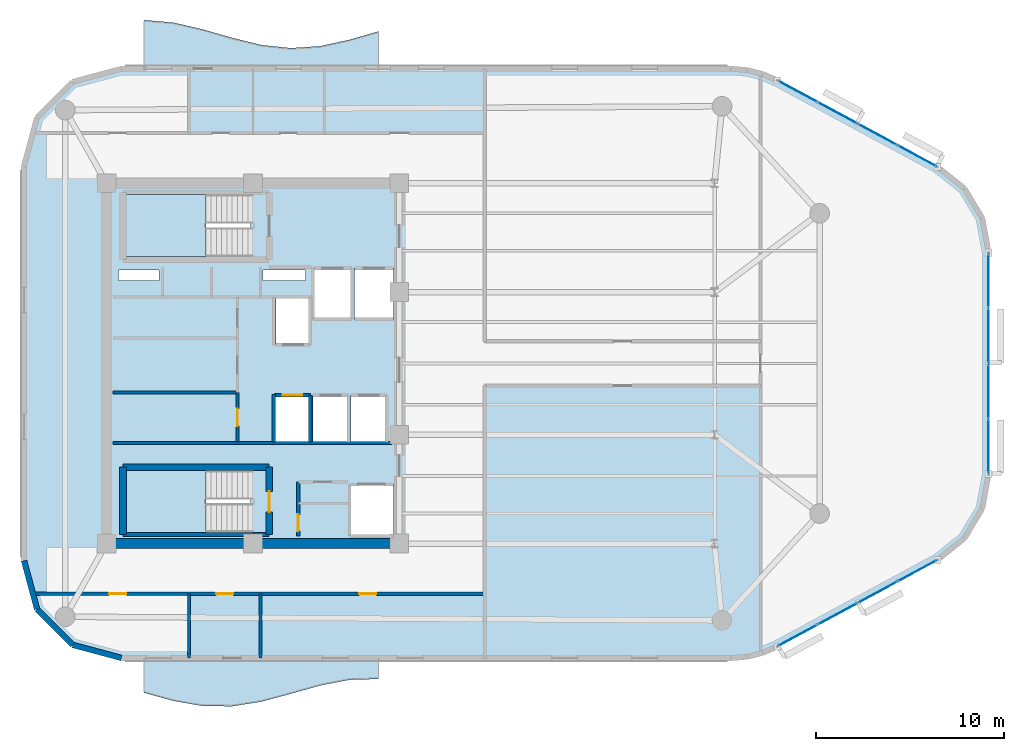
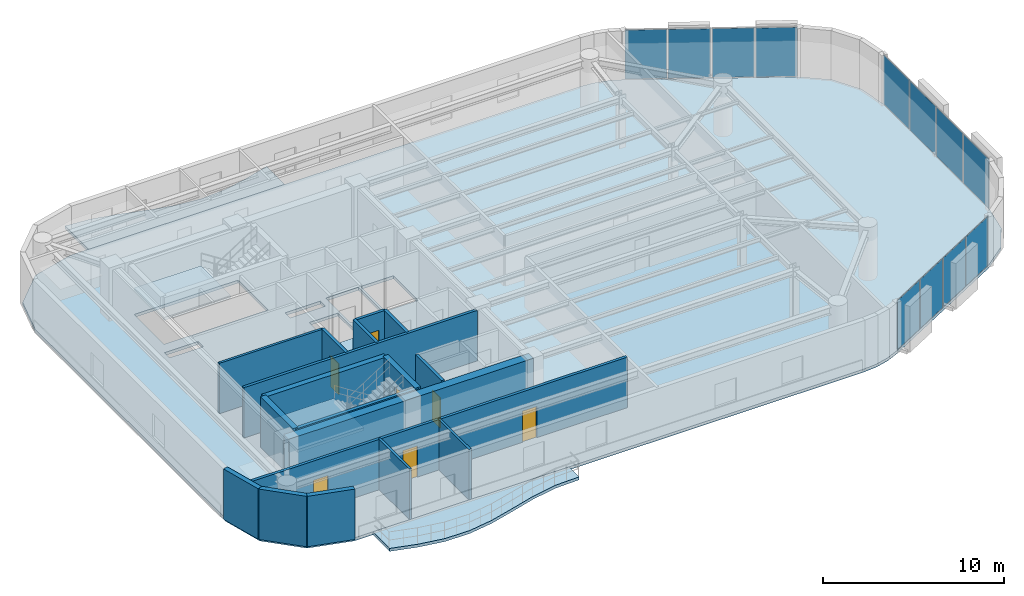
# One storey, part 8 of 13: 18 walls, 12 plates, 7 doors, 5 slabs, 7 openings, 5 elements without a shape of their own.
"""IFC4 building model written with IfcOpenShell, lengths in metres."""

from ifc_helpers import new_model, si_unit, direction, frame, frame_2d, origin, origin_2d, place, context, subcontext, project, spatial, polyline, rectangle, outline, extrude, material, layer, layer_set, type_object, element, fill, aggregate, save


model = new_model("IFC4")

# Units and contexts
model_context = context("Model", 3, precision=1e-05, world=origin(), true_north=direction((0.0, 1.0)))
body_context = subcontext(model_context, "Body", "Model", "MODEL_VIEW")
ifc_project = project(units=[si_unit("LENGTHUNIT", "METRE"), si_unit("AREAUNIT", "SQUARE_METRE"), si_unit("VOLUMEUNIT", "CUBIC_METRE"), si_unit("PLANEANGLEUNIT", "RADIAN"), si_unit("MASSUNIT", "GRAM", prefix="KILO")], contexts=[model_context])

# Site, building, storey
site_placement = place(None, origin())
site = spatial("IfcSite", under=ifc_project, at=site_placement, CompositionType="ELEMENT")
building_placement = place(site_placement, origin())
building = spatial("IfcBuilding", under=site, at=building_placement, Name="An Khanh Terracotta Commons", CompositionType="ELEMENT")
storey_placement = place(building_placement, frame((0.0, 0.0, 237.300048828125)))
storey = spatial("IfcBuildingStorey", under=building, at=storey_placement, Name="L62", CompositionType="ELEMENT", Elevation=237.300048828125)

# Curtain wall, plates
ifc_material_1 = material(Name="Anodised Aluminium 6063-T6", Category="aluminium")
ifc_layer_1 = layer(ifc_material_1, 0.2099609375, Name="Anodised Aluminium 6063-T6")
ifc_layer_set_1 = layer_set([ifc_layer_1], Name="Anodised Aluminium 6063-T6")
curtain_wall_type = type_object("IfcCurtainWallType", Name="CW-SYS-03", PredefinedType="USERDEFINED", material=ifc_layer_set_1)
curtain_wall_1_placement = place(storey_placement, origin())
curtain_wall_1 = element("IfcCurtainWall", 1, at=curtain_wall_1_placement, inside=storey, type_object=curtain_wall_type, Name="L62 CW-03 Unitised Curtain Wall CW-L62-08", ObjectType="UNITISED CURTAIN WALL", PredefinedType="USERDEFINED")
ifc_material_2 = material(Name="Acoustic Laminated Low-E Glazing", Category="glass")
ifc_layer_2 = layer(ifc_material_2, 0.035888671875, Name="Acoustic Laminated Low-E Glazing")
ifc_layer_set_2 = layer_set([ifc_layer_2], Name="Acoustic Laminated Low-E Glazing")
plate_type = type_object("IfcPlateType", Name="CWP-IGU-36", PredefinedType="CURTAIN_PANEL", material=ifc_layer_set_2)
plate_1_placement = place(storey_placement, frame((58.436767578125, 9.508544921875, 0.0498046875), z_axis=(0.0, 0.0, 1.0), x_axis=(0.879780095306, 0.47538088298, 0.0)))
plate_1 = element("IfcPlate", 2, at=plate_1_placement, type_object=plate_type, Name="CW-03 panel 1.1", PredefinedType="CURTAIN_PANEL", context=body_context, shape_type="SweptSolid", body=[
    extrude(rectangle(XDim=2.314697265625, YDim=0.035888671875, at=origin_2d()), origin(), (0.0, 0.0, 1.0), 3.300048828125),
])
plate_2_placement = place(storey_placement, frame((60.550048828125, 10.650390625, 0.0498046875), z_axis=(0.0, 0.0, 1.0), x_axis=(0.879780095306, 0.47538088298, 0.0)))
plate_2 = element("IfcPlate", 3, at=plate_2_placement, type_object=plate_type, Name="CW-03 panel 2.1", PredefinedType="CURTAIN_PANEL", context=body_context, shape_type="SweptSolid", body=[
    extrude(rectangle(XDim=2.349609375, YDim=0.035888671875, at=origin_2d()), origin(), (0.0, 0.0, 1.0), 3.300048828125),
])
plate_3_placement = place(storey_placement, frame((62.678955078125, 11.800537109375, 0.0498046875), z_axis=(0.0, 0.0, 1.0), x_axis=(0.879780095306, 0.47538088298, 0.0)))
plate_3 = element("IfcPlate", 4, at=plate_3_placement, type_object=plate_type, Name="CW-03 panel 3.1", PredefinedType="CURTAIN_PANEL", context=body_context, shape_type="SweptSolid", body=[
    extrude(rectangle(XDim=2.349609375, YDim=0.035888671875, at=origin_2d()), origin(), (0.0, 0.0, 1.0), 3.300048828125),
])
plate_4_placement = place(storey_placement, frame((64.792236328125, 12.942626953125, 0.0498046875), z_axis=(0.0, 0.0, 1.0), x_axis=(0.879780095306, 0.47538088298, 0.0)))
plate_4 = element("IfcPlate", 5, at=plate_4_placement, type_object=plate_type, Name="CW-03 panel 4.1", PredefinedType="CURTAIN_PANEL", context=body_context, shape_type="SweptSolid", body=[
    extrude(rectangle(XDim=2.314697265625, YDim=0.035888671875, at=origin_2d()), origin(), (0.0, 0.0, 1.0), 3.300048828125),
])
aggregate(curtain_wall_1, [plate_1, plate_2, plate_3, plate_4])

curtain_wall_2_placement = place(storey_placement, origin())
curtain_wall_2 = element("IfcCurtainWall", 6, at=curtain_wall_2_placement, inside=storey, type_object=curtain_wall_type, Name="L62 CW-03 Unitised Curtain Wall CW-L62-12", ObjectType="UNITISED CURTAIN WALL", PredefinedType="USERDEFINED")
plate_5_placement = place(storey_placement, frame((68.60009765625, 19.59326171875, 0.0498046875), z_axis=(0.0, 0.0, 1.0), x_axis=(0.0, 1.0, 0.0)))
plate_5 = element("IfcPlate", 7, at=plate_5_placement, type_object=plate_type, Name="CW-03 panel 1.1", PredefinedType="CURTAIN_PANEL", context=body_context, shape_type="SweptSolid", body=[
    extrude(rectangle(XDim=2.844482421875, YDim=0.035888671875, at=origin_2d()), origin(), (0.0, 0.0, 1.0), 3.300048828125),
])
plate_6_placement = place(storey_placement, frame((68.60009765625, 22.525146484375, 0.0498046875), z_axis=(0.0, 0.0, 1.0), x_axis=(0.0, 1.0, 0.0)))
plate_6 = element("IfcPlate", 8, at=plate_6_placement, type_object=plate_type, Name="CW-03 panel 2.1", PredefinedType="CURTAIN_PANEL", context=body_context, shape_type="SweptSolid", body=[
    extrude(rectangle(XDim=2.87939453125, YDim=0.035888671875, at=origin_2d()), origin(), (0.0, 0.0, 1.0), 3.300048828125),
])
plate_7_placement = place(storey_placement, frame((68.60009765625, 25.474853515625, 0.0498046875), z_axis=(0.0, 0.0, 1.0), x_axis=(0.0, 1.0, 0.0)))
plate_7 = element("IfcPlate", 9, at=plate_7_placement, type_object=plate_type, Name="CW-03 panel 3.1", PredefinedType="CURTAIN_PANEL", context=body_context, shape_type="SweptSolid", body=[
    extrude(rectangle(XDim=2.87939453125, YDim=0.035888671875, at=origin_2d()), origin(), (0.0, 0.0, 1.0), 3.300048828125),
])
plate_8_placement = place(storey_placement, frame((68.60009765625, 28.40673828125, 0.0498046875), z_axis=(0.0, 0.0, 1.0), x_axis=(0.0, 1.0, 0.0)))
plate_8 = element("IfcPlate", 10, at=plate_8_placement, type_object=plate_type, Name="CW-03 panel 4.1", PredefinedType="CURTAIN_PANEL", context=body_context, shape_type="SweptSolid", body=[
    extrude(rectangle(XDim=2.844482421875, YDim=0.035888671875, at=origin_2d()), origin(), (0.0, 0.0, 1.0), 3.300048828125),
])
aggregate(curtain_wall_2, [plate_5, plate_6, plate_7, plate_8])

curtain_wall_3_placement = place(storey_placement, origin())
curtain_wall_3 = element("IfcCurtainWall", 11, at=curtain_wall_3_placement, inside=storey, type_object=curtain_wall_type, Name="L62 CW-03 Unitised Curtain Wall CW-L62-16", ObjectType="UNITISED CURTAIN WALL", PredefinedType="USERDEFINED")
plate_9_placement = place(storey_placement, frame((64.792236328125, 35.057373046875, 0.0498046875), z_axis=(0.0, 0.0, 1.0), x_axis=(-0.879780095306, 0.47538088298, 0.0)))
plate_9 = element("IfcPlate", 12, at=plate_9_placement, type_object=plate_type, Name="CW-03 panel 1.1", PredefinedType="CURTAIN_PANEL", context=body_context, shape_type="SweptSolid", body=[
    extrude(rectangle(XDim=2.314697265625, YDim=0.035888671875, at=origin_2d()), origin(), (0.0, 0.0, 1.0), 3.300048828125),
])
plate_10_placement = place(storey_placement, frame((62.678955078125, 36.199462890625, 0.0498046875), z_axis=(0.0, 0.0, 1.0), x_axis=(-0.879780095306, 0.47538088298, 0.0)))
plate_10 = element("IfcPlate", 13, at=plate_10_placement, type_object=plate_type, Name="CW-03 panel 2.1", PredefinedType="CURTAIN_PANEL", context=body_context, shape_type="SweptSolid", body=[
    extrude(rectangle(XDim=2.349609375, YDim=0.035888671875, at=origin_2d()), origin(), (0.0, 0.0, 1.0), 3.300048828125),
])
plate_11_placement = place(storey_placement, frame((60.550048828125, 37.349609375, 0.0498046875), z_axis=(0.0, 0.0, 1.0), x_axis=(-0.879780095306, 0.47538088298, 0.0)))
plate_11 = element("IfcPlate", 14, at=plate_11_placement, type_object=plate_type, Name="CW-03 panel 3.1", PredefinedType="CURTAIN_PANEL", context=body_context, shape_type="SweptSolid", body=[
    extrude(rectangle(XDim=2.349609375, YDim=0.035888671875, at=origin_2d()), origin(), (0.0, 0.0, 1.0), 3.300048828125),
])
plate_12_placement = place(storey_placement, frame((58.436767578125, 38.491455078125, 0.0498046875), z_axis=(0.0, 0.0, 1.0), x_axis=(-0.879780095306, 0.47538088298, 0.0)))
plate_12 = element("IfcPlate", 15, at=plate_12_placement, type_object=plate_type, Name="CW-03 panel 4.1", PredefinedType="CURTAIN_PANEL", context=body_context, shape_type="SweptSolid", body=[
    extrude(rectangle(XDim=2.314697265625, YDim=0.035888671875, at=origin_2d()), origin(), (0.0, 0.0, 1.0), 3.300048828125),
])
aggregate(curtain_wall_3, [plate_9, plate_10, plate_11, plate_12])

# Slabs
ifc_material_3 = material(Name="Concrete C40/50", Category="concrete")
ifc_layer_3 = layer(ifc_material_3, 0.199951171875, Name="Concrete C40/50")
ifc_layer_set_3 = layer_set([ifc_layer_3], Name="Concrete C40/50")
slab_type_1 = type_object("IfcSlabType", Name="SLAB-BALC-200", PredefinedType="FLOOR", material=ifc_layer_set_3)
slab_1_placement = place(storey_placement, frame((0.0, 0.0, -0.199951171875)))
element("IfcSlab", 16, at=slab_1_placement, inside=storey, type_object=slab_type_1, Name="L62 S Sinusoidal Wave Balcony Slab", PredefinedType="FLOOR", context=body_context, shape_type="SweptSolid", body=[
    extrude(outline(polyline([(23.60009765625, 8.300048828125), (23.60009765625, 6.449951171875), (25.1630859375, 6.01806640625), (26.72509765625, 5.743896484375), (28.2880859375, 5.72705078125), (29.85009765625, 5.97412109375), (31.4130859375, 6.39501953125), (32.97509765625, 6.8359375), (34.5380859375, 7.135986328125), (36.10009765625, 7.18603515625), (36.10009765625, 8.300048828125), (23.60009765625, 8.300048828125)])), origin(), (0.0, 0.0, 1.0), 0.199951171875),
])
slab_2_placement = place(storey_placement, frame((0.0, 0.0, -0.199951171875)))
element("IfcSlab", 17, at=slab_2_placement, inside=storey, type_object=slab_type_1, Name="L62 N Sinusoidal Wave Balcony Slab", PredefinedType="FLOOR", context=body_context, shape_type="SweptSolid", body=[
    extrude(outline(polyline([(36.10009765625, 39.699951171875), (36.10009765625, 41.696044921875), (34.5380859375, 41.24609375), (32.97509765625, 40.906982421875), (31.4130859375, 40.802001953125), (29.85009765625, 40.969970703125), (28.2880859375, 41.35009765625), (26.72509765625, 41.802978515625), (25.1630859375, 42.1630859375), (23.60009765625, 42.300048828125), (23.60009765625, 39.699951171875), (36.10009765625, 39.699951171875)])), origin(), (0.0, 0.0, 1.0), 0.199951171875),
])

# Stair, slab
ifc_material_4 = material(Name="Precast concrete C40/50", Category="concrete")
stair_type = type_object("IfcStairType", Name="STAIR-CORE-1550", PredefinedType="HALF_TURN_STAIR", material=ifc_material_4)
stair_1_placement = place(storey_placement, origin())
stair_1 = element("IfcStair", 18, at=stair_1_placement, inside=storey, type_object=stair_type, Name="L62 Core Smokeproof Exit Stair ST-01", PredefinedType="HALF_TURN_STAIR")
ifc_layer_4 = layer(ifc_material_3, 0.18994140625, Name="Concrete C40/50")
ifc_layer_set_4 = layer_set([ifc_layer_4], Name="Concrete C40/50")
slab_type_2 = type_object("IfcSlabType", Name="SLAB-LANDING-190", PredefinedType="LANDING", material=ifc_layer_set_4)
slab_3_placement = place(storey_placement, frame((0.0, 0.0, 1.599853515625)))
slab_3 = element("IfcSlab", 19, at=slab_3_placement, type_object=slab_type_2, Name="ST-01 landing 1", PredefinedType="LANDING", context=body_context, shape_type="SweptSolid", body=[
    extrude(outline(polyline([(26.889892578125, 33.0), (22.64990234375, 33.0), (22.64990234375, 29.699951171875), (26.889892578125, 29.699951171875), (26.889892578125, 33.0)])), origin(), (0.0, 0.0, 1.0), 0.2001953125),
])
aggregate(stair_1, [slab_3])

stair_2_placement = place(storey_placement, origin())
stair_2 = element("IfcStair", 20, at=stair_2_placement, inside=storey, type_object=stair_type, Name="L62 Core Smokeproof Exit Stair ST-02", PredefinedType="HALF_TURN_STAIR")
slab_4_placement = place(storey_placement, frame((0.0, 0.0, 1.599853515625)))
slab_4 = element("IfcSlab", 21, at=slab_4_placement, type_object=slab_type_2, Name="ST-02 landing 1", PredefinedType="LANDING", context=body_context, shape_type="SweptSolid", body=[
    extrude(outline(polyline([(26.889892578125, 18.300048828125), (22.64990234375, 18.300048828125), (22.64990234375, 15.0), (26.889892578125, 15.0), (26.889892578125, 18.300048828125)])), origin(), (0.0, 0.0, 1.0), 0.2001953125),
])
aggregate(stair_2, [slab_4])

# Slab
ifc_layer_5 = layer(ifc_material_3, 0.199951171875, Name="Concrete C40/50")
ifc_layer_set_5 = layer_set([ifc_layer_5], Name="Concrete C40/50")
slab_type_3 = type_object("IfcSlabType", Name="SLAB-TYP-200", PredefinedType="FLOOR", material=ifc_layer_set_5)
slab_5_placement = place(storey_placement, frame((0.0, 0.0, -0.199951171875)))
element("IfcSlab", 22, at=slab_5_placement, inside=storey, type_object=slab_type_3, Name="L62 Structural Floor Slab", PredefinedType="FLOOR", context=body_context, shape_type="SweptSolid", body=[
    extrude(outline(polyline([(17.199951171875, 13.5), (17.89697265625, 10.89990234375), (19.800048828125, 8.9970703125), (22.39990234375, 8.300048828125), (54.885009765625, 8.300048828125), (55.739990234375, 8.37109375), (56.571044921875, 8.5810546875), (57.35693359375, 8.925048828125), (65.8720703125, 13.52587890625), (67.320068359375, 14.68408203125), (68.26904296875, 16.27587890625), (68.60009765625, 18.10107421875), (68.60009765625, 29.89892578125), (68.26904296875, 31.72412109375), (67.320068359375, 33.31591796875), (65.8720703125, 34.47412109375), (57.35693359375, 39.074951171875), (56.571044921875, 39.4189453125), (55.739990234375, 39.62890625), (54.885009765625, 39.699951171875), (22.39990234375, 39.699951171875), (19.800048828125, 39.0029296875), (17.89697265625, 37.10009765625), (17.199951171875, 34.5), (17.199951171875, 13.5)]), holes=[polyline([(22.64990234375, 29.699951171875), (29.27001953125, 29.699951171875), (29.27001953125, 33.0), (22.64990234375, 33.0), (22.64990234375, 29.699951171875)]), polyline([(22.64990234375, 15.0), (29.27001953125, 15.0), (29.27001953125, 18.300048828125), (22.64990234375, 18.300048828125), (22.64990234375, 15.0)]), polyline([(32.60009765625, 26.35009765625), (34.679931640625, 26.35009765625), (34.679931640625, 29.080078125), (32.60009765625, 29.080078125), (32.60009765625, 26.35009765625)]), polyline([(34.820068359375, 26.35009765625), (36.89990234375, 26.35009765625), (36.89990234375, 29.080078125), (34.820068359375, 29.080078125), (34.820068359375, 26.35009765625)]), polyline([(34.550048828125, 14.800048828125), (36.89990234375, 14.800048828125), (36.89990234375, 17.550048828125), (34.550048828125, 17.550048828125), (34.550048828125, 14.800048828125)]), polyline([(30.639892578125, 25.0), (32.4599609375, 25.0), (32.4599609375, 27.5), (30.639892578125, 27.5), (30.639892578125, 25.0)]), polyline([(30.56005859375, 19.800048828125), (32.4599609375, 19.800048828125), (32.4599609375, 22.300048828125), (30.56005859375, 22.300048828125), (30.56005859375, 19.800048828125)]), polyline([(32.60009765625, 19.800048828125), (34.5, 19.800048828125), (34.5, 22.300048828125), (32.60009765625, 22.300048828125), (32.60009765625, 19.800048828125)]), polyline([(34.639892578125, 19.800048828125), (36.5400390625, 19.800048828125), (36.5400390625, 22.300048828125), (34.639892578125, 22.300048828125), (34.639892578125, 19.800048828125)]), polyline([(22.25, 28.419921875), (24.39990234375, 28.419921875), (24.39990234375, 28.97998046875), (22.25, 28.97998046875), (22.25, 28.419921875)]), polyline([(29.949951171875, 28.419921875), (32.199951171875, 28.419921875), (32.199951171875, 28.97998046875), (29.949951171875, 28.97998046875), (29.949951171875, 28.419921875)])]), origin(), (0.0, 0.0, 1.0), 0.199951171875),
])

# Walls
ifc_material_5 = material(Name="Concrete C50/60", Category="concrete")
ifc_layer_6 = layer(ifc_material_5, 0.550048828125, Name="Concrete C50/60")
ifc_layer_set_6 = layer_set([ifc_layer_6], Name="Concrete C50/60")
wall_type_1 = type_object("IfcWallType", Name="WALL-CORE-550", PredefinedType="SHEAR", material=ifc_layer_set_6)
wall_1_placement = place(storey_placement, frame((37.199951171875, 14.39990234375, 0.0), z_axis=(0.0, 0.0, 1.0), x_axis=(-1.0, 0.0, 0.0)))
element("IfcWall", 23, at=wall_1_placement, inside=storey, type_object=wall_type_1, Name="L62 Core Wall CWALL-L62-S", PredefinedType="SHEAR", context=body_context, shape_type="SweptSolid", body=[
    extrude(rectangle(XDim=15.599853515625, YDim=0.550048828125, at=frame_2d((7.7998046875, 0.0))), origin(), (0.0, 0.0, 1.0), 3.39990234375),
])
ifc_material_6 = material(Name="Fire-Rated Gypsum Board on Steel Stud", Category="steel")
ifc_layer_7 = layer(ifc_material_6, 0.179931640625, Name="Fire-Rated Gypsum Board on Steel Stud")
ifc_layer_set_7 = layer_set([ifc_layer_7], Name="Fire-Rated Gypsum Board on Steel Stud")
wall_type_2 = type_object("IfcWallType", Name="WALL-CORR-180", PredefinedType="PARTITIONING", material=ifc_layer_set_7)
wall_2_placement = place(storey_placement, frame((21.949951171875, 19.760009765625, 0.0), z_axis=(0.0, 0.0, 1.0), x_axis=(1.0, 0.0, 0.0)))
element("IfcWall", 24, at=wall_2_placement, inside=storey, type_object=wall_type_2, Name="L62 Core Wall SVW-L62-N", PredefinedType="PARTITIONING", context=body_context, shape_type="SweptSolid", body=[
    extrude(rectangle(XDim=14.8701171875, YDim=0.179931640625, at=frame_2d((7.43505859375, 0.0))), origin(), (0.0, 0.0, 1.0), 3.39990234375),
])

# Wall, opening, door
wall_3_placement = place(storey_placement, frame((31.820068359375, 14.800048828125, 0.0), z_axis=(0.0, 0.0, 1.0), x_axis=(0.0, 1.0, 0.0)))
wall_3 = element("IfcWall", 25, at=wall_3_placement, inside=storey, type_object=wall_type_2, Name="L62 Core Wall SSVCW-L62-W", PredefinedType="PARTITIONING", context=body_context, shape_type="SweptSolid", body=[
    extrude(rectangle(XDim=2.8798828125, YDim=0.179931640625, at=frame_2d((1.43994140625, 0.0))), origin(), (0.0, 0.0, 1.0), 3.39990234375),
])
opening_1_placement = place(wall_3_placement, frame((0.260009765625, 0.0, 0.0)))
opening_1 = element("IfcOpeningElement", 26, at=opening_1_placement, cuts=wall_3, Name="Opening D-SV", PredefinedType="OPENING", context=body_context, shape_type="SweptSolid", body=[
    extrude(rectangle(XDim=0.89990234375, YDim=2.050048828125, at=frame_2d((0.449951171875, 1.02490234375))), frame((0.0, 0.099853515625, 0.0), z_axis=(0.0, -1.0, 0.0), x_axis=(1.0, 0.0, 0.0)), (0.0, 0.0, 1.0), 0.199951171875),
])
ifc_material_7 = material(Name="Fire-Rated Powder-Coated Steel Door", Category="steel")
door_type_1 = type_object("IfcDoorType", Name="DOOR-SERV-900", OperationType="NOTDEFINED", PredefinedType="DOOR", material=ifc_material_7)
door_1_placement = place(opening_1_placement, origin())
door_1 = element("IfcDoor", 27, at=door_1_placement, inside=storey, type_object=door_type_1, Name="L62 Telecoms BMS Cupboard Door", OperationType="SINGLE_SWING_LEFT", OverallHeight=2.050048828125, OverallWidth=0.89990234375, PredefinedType="DOOR", context=body_context, shape_type="SweptSolid", body=[
    extrude(rectangle(XDim=0.89990234375, YDim=2.050048828125, at=frame_2d((0.449951171875, 1.02490234375))), frame((0.0, 0.02490234375, 0.0), z_axis=(0.0, -1.0, 0.0), x_axis=(1.0, 0.0, 0.0)), (0.0, 0.0, 1.0), 0.050048828125),
])
fill(opening_1, door_1)

wall_4_placement = place(storey_placement, frame((30.56005859375, 22.300048828125, 0.0), z_axis=(0.0, 0.0, 1.0), x_axis=(1.0, 0.0, 0.0)))
wall_4 = element("IfcWall", 28, at=wall_4_placement, inside=storey, type_object=wall_type_2, Name="L62 Core Wall LSH-L62-PL-H2-N", PredefinedType="PARTITIONING", context=body_context, shape_type="SweptSolid", body=[
    extrude(rectangle(XDim=1.89990234375, YDim=0.179931640625, at=frame_2d((0.949951171875, 0.0))), origin(), (0.0, 0.0, 1.0), 3.39990234375),
])
opening_2_placement = place(wall_4_placement, frame((0.425048828125, 0.0, 0.0)))
opening_2 = element("IfcOpeningElement", 29, at=opening_2_placement, cuts=wall_4, Name="Opening LD-PL-H2-L62", PredefinedType="OPENING", context=body_context, shape_type="SweptSolid", body=[
    extrude(rectangle(XDim=1.050048828125, YDim=2.199951171875, at=frame_2d((0.52490234375, 1.10009765625))), frame((0.0, 0.099853515625, 0.0), z_axis=(0.0, -1.0, 0.0), x_axis=(1.0, 0.0, 0.0)), (0.0, 0.0, 1.0), 0.199951171875),
])
ifc_material_8 = material(Name="Brushed Stainless Steel High-Rise Landing Door", Category="steel")
door_type_2 = type_object("IfcDoorType", Name="DOOR-LD-PAXH-1050", OperationType="NOTDEFINED", PredefinedType="DOOR", material=ifc_material_8)
door_2_placement = place(opening_2_placement, origin())
door_2 = element("IfcDoor", 30, at=door_2_placement, inside=storey, type_object=door_type_2, Name="L62 Lift PL-H2 Sliding Landing Door", OperationType="DOUBLE_DOOR_SLIDING", OverallHeight=2.199951171875, OverallWidth=1.050048828125, PredefinedType="DOOR", context=body_context, shape_type="SweptSolid", body=[
    extrude(rectangle(XDim=1.050048828125, YDim=2.199951171875, at=frame_2d((0.52490234375, 1.10009765625))), frame((0.0, 0.02490234375, 0.0), z_axis=(0.0, -1.0, 0.0), x_axis=(1.0, 0.0, 0.0)), (0.0, 0.0, 1.0), 0.050048828125),
])
fill(opening_2, door_2)

# Walls
wall_5_placement = place(storey_placement, frame((32.4599609375, 19.800048828125, 0.0), z_axis=(0.0, 0.0, 1.0), x_axis=(0.0, 1.0, 0.0)))
element("IfcWall", 31, at=wall_5_placement, inside=storey, type_object=wall_type_2, Name="L62 Core Wall LSH-L62-PL-H2-E", PredefinedType="PARTITIONING", context=body_context, shape_type="SweptSolid", body=[
    extrude(rectangle(XDim=2.5, YDim=0.179931640625, at=frame_2d((1.25, 0.0))), origin(), (0.0, 0.0, 1.0), 3.39990234375),
])
wall_6_placement = place(storey_placement, frame((30.52001953125, 19.800048828125, 0.0), z_axis=(0.0, 0.0, 1.0), x_axis=(0.0, 1.0, 0.0)))
element("IfcWall", 32, at=wall_6_placement, inside=storey, type_object=wall_type_2, Name="L62 Core Wall RECW-L62-BE2", PredefinedType="PARTITIONING", context=body_context, shape_type="SweptSolid", body=[
    extrude(rectangle(XDim=2.550048828125, YDim=0.179931640625, at=frame_2d((1.27490234375, 0.0))), origin(), (0.0, 0.0, 1.0), 3.39990234375),
])

# Wall, opening, door
wall_7_placement = place(storey_placement, frame((28.580078125, 19.800048828125, 0.0), z_axis=(0.0, 0.0, 1.0), x_axis=(0.0, 1.0, 0.0)))
wall_7 = element("IfcWall", 33, at=wall_7_placement, inside=storey, type_object=wall_type_2, Name="L62 Core Wall RECW-L62-E3", PredefinedType="PARTITIONING", context=body_context, shape_type="SweptSolid", body=[
    extrude(rectangle(XDim=2.64990234375, YDim=0.179931640625, at=frame_2d((1.324951171875, 0.0))), origin(), (0.0, 0.0, 1.0), 3.39990234375),
])
opening_3_placement = place(wall_7_placement, frame((0.864990234375, 0.0, 0.0)))
opening_3 = element("IfcOpeningElement", 34, at=opening_3_placement, cuts=wall_7, Name="Opening D-RM", PredefinedType="OPENING", context=body_context, shape_type="SweptSolid", body=[
    extrude(rectangle(XDim=0.919921875, YDim=2.10009765625, at=frame_2d((0.4599609375, 1.050048828125))), frame((0.0, 0.099853515625, 0.0), z_axis=(0.0, -1.0, 0.0), x_axis=(1.0, 0.0, 0.0)), (0.0, 0.0, 1.0), 0.199951171875),
])
ifc_material_9 = material(Name="Engineered Hardwood Timber Leaf", Category="wood")
door_type_3 = type_object("IfcDoorType", Name="DOOR-INT-920", OperationType="NOTDEFINED", PredefinedType="DOOR", material=ifc_material_9)
door_3_placement = place(opening_3_placement, origin())
door_3 = element("IfcDoor", 35, at=door_3_placement, inside=storey, type_object=door_type_3, Name="L62 Communal Laundry Room Door", OperationType="SINGLE_SWING_RIGHT", OverallHeight=2.10009765625, OverallWidth=0.919921875, PredefinedType="DOOR", context=body_context, shape_type="SweptSolid", body=[
    extrude(rectangle(XDim=0.919921875, YDim=2.10009765625, at=frame_2d((0.4599609375, 1.050048828125))), frame((0.0, 0.02490234375, 0.0), z_axis=(0.0, -1.0, 0.0), x_axis=(1.0, 0.0, 0.0)), (0.0, 0.0, 1.0), 0.050048828125),
])
fill(opening_3, door_3)

# Wall, openings, doors
wall_8_placement = place(storey_placement, frame((17.677001953125, 11.719970703125, 0.0), z_axis=(0.0, 0.0, 1.0), x_axis=(1.0, 0.0, 0.0)))
wall_8 = element("IfcWall", 36, at=wall_8_placement, inside=storey, type_object=wall_type_2, Name="L62 Interior Partition IW-L62-E001", PredefinedType="PARTITIONING", context=body_context, shape_type="SweptSolid", body=[
    extrude(rectangle(XDim=24.072998046875, YDim=0.179931640625, at=frame_2d((12.03662109375, 0.0))), origin(), (0.0, 0.0, 1.0), 3.39990234375),
])
opening_4_placement = place(wall_8_placement, frame((9.762939453125, 0.0, 0.0)))
opening_4 = element("IfcOpeningElement", 37, at=opening_4_placement, cuts=wall_8, Name="Opening D-RM", PredefinedType="OPENING", context=body_context, shape_type="SweptSolid", body=[
    extrude(rectangle(XDim=0.919921875, YDim=2.10009765625, at=frame_2d((0.4599609375, 1.050048828125))), frame((0.0, 0.099853515625, 0.0), z_axis=(0.0, -1.0, 0.0), x_axis=(1.0, 0.0, 0.0)), (0.0, 0.0, 1.0), 0.199951171875),
])
opening_5_placement = place(wall_8_placement, frame((4.06298828125, 0.0, 0.0)))
opening_5 = element("IfcOpeningElement", 38, at=opening_5_placement, cuts=wall_8, Name="Opening D-RM", PredefinedType="OPENING", context=body_context, shape_type="SweptSolid", body=[
    extrude(rectangle(XDim=0.919921875, YDim=2.10009765625, at=frame_2d((0.4599609375, 1.050048828125))), frame((0.0, 0.099853515625, 0.0), z_axis=(0.0, -1.0, 0.0), x_axis=(1.0, 0.0, 0.0)), (0.0, 0.0, 1.0), 0.199951171875),
])
opening_6_placement = place(wall_8_placement, frame((17.3779296875, 0.0, 0.0)))
opening_6 = element("IfcOpeningElement", 39, at=opening_6_placement, cuts=wall_8, Name="Opening D-RM", PredefinedType="OPENING", context=body_context, shape_type="SweptSolid", body=[
    extrude(rectangle(XDim=0.919921875, YDim=2.10009765625, at=frame_2d((0.4599609375, 1.050048828125))), frame((0.0, 0.099853515625, 0.0), z_axis=(0.0, -1.0, 0.0), x_axis=(1.0, 0.0, 0.0)), (0.0, 0.0, 1.0), 0.199951171875),
])
door_4_placement = place(opening_4_placement, origin())
door_4 = element("IfcDoor", 40, at=door_4_placement, inside=storey, type_object=door_type_3, Name="L62 HKP Housekeeping Linen Store Door", OperationType="SINGLE_SWING_LEFT", OverallHeight=2.10009765625, OverallWidth=0.919921875, PredefinedType="DOOR", context=body_context, shape_type="SweptSolid", body=[
    extrude(rectangle(XDim=0.919921875, YDim=2.10009765625, at=frame_2d((0.4599609375, 1.050048828125))), frame((0.0, 0.02490234375, 0.0), z_axis=(0.0, -1.0, 0.0), x_axis=(1.0, 0.0, 0.0)), (0.0, 0.0, 1.0), 0.050048828125),
])
fill(opening_4, door_4)
door_5_placement = place(opening_5_placement, origin())
door_5 = element("IfcDoor", 41, at=door_5_placement, inside=storey, type_object=door_type_3, Name="L62 SW1 Academic Seminar Room Door", OperationType="SINGLE_SWING_LEFT", OverallHeight=2.10009765625, OverallWidth=0.919921875, PredefinedType="DOOR", context=body_context, shape_type="SweptSolid", body=[
    extrude(rectangle(XDim=0.919921875, YDim=2.10009765625, at=frame_2d((0.4599609375, 1.050048828125))), frame((0.0, 0.02490234375, 0.0), z_axis=(0.0, -1.0, 0.0), x_axis=(1.0, 0.0, 0.0)), (0.0, 0.0, 1.0), 0.050048828125),
])
fill(opening_5, door_5)
door_6_placement = place(opening_6_placement, origin())
door_6 = element("IfcDoor", 42, at=door_6_placement, inside=storey, type_object=door_type_3, Name="L62 SWE Music Practice Room Door", OperationType="SINGLE_SWING_RIGHT", OverallHeight=2.10009765625, OverallWidth=0.919921875, PredefinedType="DOOR", context=body_context, shape_type="SweptSolid", body=[
    extrude(rectangle(XDim=0.919921875, YDim=2.10009765625, at=frame_2d((0.4599609375, 1.050048828125))), frame((0.0, 0.02490234375, 0.0), z_axis=(0.0, -1.0, 0.0), x_axis=(1.0, 0.0, 0.0)), (0.0, 0.0, 1.0), 0.050048828125),
])
fill(opening_6, door_6)

# Walls
ifc_layer_8 = layer(ifc_material_4, 0.300048828125, Name="Precast concrete C40/50")
ifc_layer_set_8 = layer_set([ifc_layer_8], Name="Precast concrete C40/50")
wall_type_3 = type_object("IfcWallType", Name="WALL-EXT-300", PredefinedType="SOLIDWALL", material=ifc_layer_set_8)
wall_9_placement = place(storey_placement, frame((17.199951171875, 13.5, 0.0), z_axis=(0.0, 0.0, 1.0), x_axis=(0.258932525951, -0.965895412042, 0.0)))
element("IfcWall", 43, at=wall_9_placement, inside=storey, type_object=wall_type_3, Name="L62 Insulated Terracotta Exterior Wall 1", PredefinedType="SOLIDWALL", context=body_context, shape_type="SweptSolid", body=[
    extrude(rectangle(XDim=2.69189453125, YDim=0.300048828125, at=frame_2d((1.345947265625, 0.0))), origin(), (0.0, 0.0, 1.0), 3.39990234375),
])
wall_10_placement = place(storey_placement, frame((17.89697265625, 10.89990234375, 0.0), z_axis=(0.0, 0.0, 1.0), x_axis=(0.707152139074, -0.70706142039, 0.0)))
element("IfcWall", 44, at=wall_10_placement, inside=storey, type_object=wall_type_3, Name="L62 Insulated Terracotta Exterior Wall 2", PredefinedType="SOLIDWALL", context=body_context, shape_type="SweptSolid", body=[
    extrude(rectangle(XDim=2.691162109375, YDim=0.300048828125, at=frame_2d((1.345703125, 0.0))), origin(), (0.0, 0.0, 1.0), 3.39990234375),
])
wall_11_placement = place(storey_placement, frame((19.800048828125, 8.9970703125, 0.0), z_axis=(0.0, 0.0, 1.0), x_axis=(0.965889330541, -0.258955210695, 0.0)))
element("IfcWall", 45, at=wall_11_placement, inside=storey, type_object=wall_type_3, Name="L62 Insulated Terracotta Exterior Wall 3", PredefinedType="SOLIDWALL", context=body_context, shape_type="SweptSolid", body=[
    extrude(rectangle(XDim=2.691650390625, YDim=0.300048828125, at=frame_2d((1.345703125, 0.0))), origin(), (0.0, 0.0, 1.0), 3.39990234375),
])
ifc_material_10 = material(Name="Acoustic Gypsum Board Partition")
ifc_layer_9 = layer(ifc_material_10, 0.14990234375, Name="Acoustic Gypsum Board Partition")
ifc_layer_set_9 = layer_set([ifc_layer_9], Name="Acoustic Gypsum Board Partition")
wall_type_4 = type_object("IfcWallType", Name="WALL-PART-150", PredefinedType="PARTITIONING", material=ifc_layer_set_9)
wall_12_placement = place(storey_placement, frame((21.949951171875, 22.449951171875, 0.0), z_axis=(0.0, 0.0, 1.0), x_axis=(1.0, 0.0, 0.0)))
element("IfcWall", 46, at=wall_12_placement, inside=storey, type_object=wall_type_4, Name="L62 Core Wall RECW-L62-H2", PredefinedType="PARTITIONING", context=body_context, shape_type="SweptSolid", body=[
    extrude(rectangle(XDim=6.630126953125, YDim=0.14990234375, at=frame_2d((3.31494140625, 0.0))), origin(), (0.0, 0.0, 1.0), 3.39990234375),
])
for number, where, z_axis, x_axis, name in (
    (47, (26.0, 8.300048828125, 0.0), (0.0, 0.0, 1.0), (0.0, 1.0, 0.0), "L62 Interior Partition IW-L62-E005"),
    (48, (29.800048828125, 8.300048828125, 0.0), (0.0, 0.0, 1.0), (0.0, 1.0, 0.0), "L62 Interior Partition IW-L62-E008"),
):
    element("IfcWall", number, at=place(storey_placement, frame(where, z_axis=z_axis, x_axis=x_axis)), inside=storey, type_object=wall_type_4, Name=name, PredefinedType="PARTITIONING", context=body_context, shape_type="SweptSolid", body=[
        extrude(rectangle(XDim=3.419921875, YDim=0.14990234375, at=frame_2d((1.7099609375, 0.0))), origin(), (0.0, 0.0, 1.0), 3.39990234375),
    ])
ifc_material_11 = material(Name="Acoustic Double-Stud Gypsum and Mineral Wool")
ifc_layer_10 = layer(ifc_material_11, 0.219970703125, Name="Acoustic Double-Stud Gypsum and Mineral Wool")
ifc_layer_set_10 = layer_set([ifc_layer_10], Name="Acoustic Double-Stud Gypsum and Mineral Wool")
wall_type_5 = type_object("IfcWallType", Name="WALL-PARTY-220", PredefinedType="PARTITIONING", material=ifc_layer_set_10)
wall_13_placement = place(storey_placement, frame((22.47998046875, 14.889892578125, 0.0), z_axis=(0.0, 0.0, 1.0), x_axis=(1.0, 0.0, 0.0)))
element("IfcWall", 49, at=wall_13_placement, inside=storey, type_object=wall_type_5, Name="L62 Core Wall STW-L62-S-S", PredefinedType="PARTITIONING", context=body_context, shape_type="SweptSolid", body=[
    extrude(rectangle(XDim=7.7900390625, YDim=0.219970703125, at=frame_2d((3.89501953125, 0.0))), origin(), (0.0, 0.0, 1.0), 3.39990234375),
])
ifc_layer_11 = layer(ifc_material_5, 0.35009765625, Name="Concrete C50/60")
ifc_layer_set_11 = layer_set([ifc_layer_11], Name="Concrete C50/60")
wall_type_6 = type_object("IfcWallType", Name="WALL-SHAFT-350", PredefinedType="SOLIDWALL", material=ifc_layer_set_11)
wall_14_placement = place(storey_placement, frame((22.47998046875, 18.469970703125, 0.0), z_axis=(0.0, 0.0, 1.0), x_axis=(1.0, 0.0, 0.0)))
element("IfcWall", 50, at=wall_14_placement, inside=storey, type_object=wall_type_6, Name="L62 Core Wall STW-L62-S-N", PredefinedType="SOLIDWALL", context=body_context, shape_type="SweptSolid", body=[
    extrude(rectangle(XDim=7.7900390625, YDim=0.35009765625, at=frame_2d((3.89501953125, 0.0))), origin(), (0.0, 0.0, 1.0), 3.39990234375),
])
wall_15_placement = place(storey_placement, frame((22.47998046875, 14.889892578125, 0.0), z_axis=(0.0, 0.0, 1.0), x_axis=(0.0, 1.0, 0.0)))
element("IfcWall", 51, at=wall_15_placement, inside=storey, type_object=wall_type_6, Name="L62 Core Wall STW-L62-S-W", PredefinedType="SOLIDWALL", context=body_context, shape_type="SweptSolid", body=[
    extrude(rectangle(XDim=3.580078125, YDim=0.35009765625, at=frame_2d((1.7900390625, 0.0))), origin(), (0.0, 0.0, 1.0), 3.39990234375),
])

# Wall, opening, door
wall_16_placement = place(storey_placement, frame((30.27001953125, 14.889892578125, 0.0), z_axis=(0.0, 0.0, 1.0), x_axis=(0.0, 1.0, 0.0)))
wall_16 = element("IfcWall", 52, at=wall_16_placement, inside=storey, type_object=wall_type_6, Name="L62 Core Wall STW-L62-S-E", PredefinedType="SOLIDWALL", context=body_context, shape_type="SweptSolid", body=[
    extrude(rectangle(XDim=3.580078125, YDim=0.35009765625, at=frame_2d((1.7900390625, 0.0))), origin(), (0.0, 0.0, 1.0), 3.39990234375),
])
opening_7_placement = place(wall_16_placement, frame((1.18994140625, 0.0, 0.0)))
opening_7 = element("IfcOpeningElement", 53, at=opening_7_placement, cuts=wall_16, Name="Opening D-ST", PredefinedType="OPENING", context=body_context, shape_type="SweptSolid", body=[
    extrude(rectangle(XDim=1.10009765625, YDim=2.14990234375, at=frame_2d((0.550048828125, 1.074951171875))), frame((0.0, 0.18505859375, 0.0), z_axis=(0.0, -1.0, 0.0), x_axis=(1.0, 0.0, 0.0)), (0.0, 0.0, 1.0), 0.3701171875),
])
ifc_material_12 = material(Name="Fire-Rated Steel Leaf and Frame", Category="steel")
door_type_4 = type_object("IfcDoorType", Name="DOOR-STAIR-1100", OperationType="NOTDEFINED", PredefinedType="DOOR", material=ifc_material_12)
door_7_placement = place(opening_7_placement, origin())
door_7 = element("IfcDoor", 54, at=door_7_placement, inside=storey, type_object=door_type_4, Name="L62 Stair ST-02 Fire Door", OperationType="SINGLE_SWING_LEFT", OverallHeight=2.14990234375, OverallWidth=1.10009765625, PredefinedType="DOOR", context=body_context, shape_type="SweptSolid", body=[
    extrude(rectangle(XDim=1.10009765625, YDim=2.14990234375, at=frame_2d((0.550048828125, 1.074951171875))), frame((0.0, 0.02490234375, 0.0), z_axis=(0.0, -1.0, 0.0), x_axis=(1.0, 0.0, 0.0)), (0.0, 0.0, 1.0), 0.050048828125),
])
fill(opening_7, door_7)

save(model, "model.ifc")
